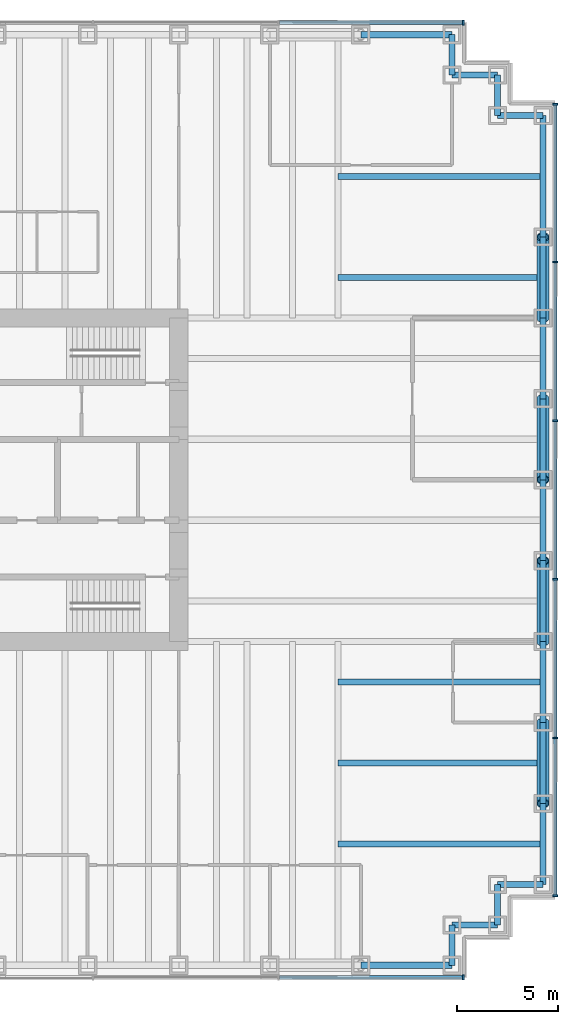
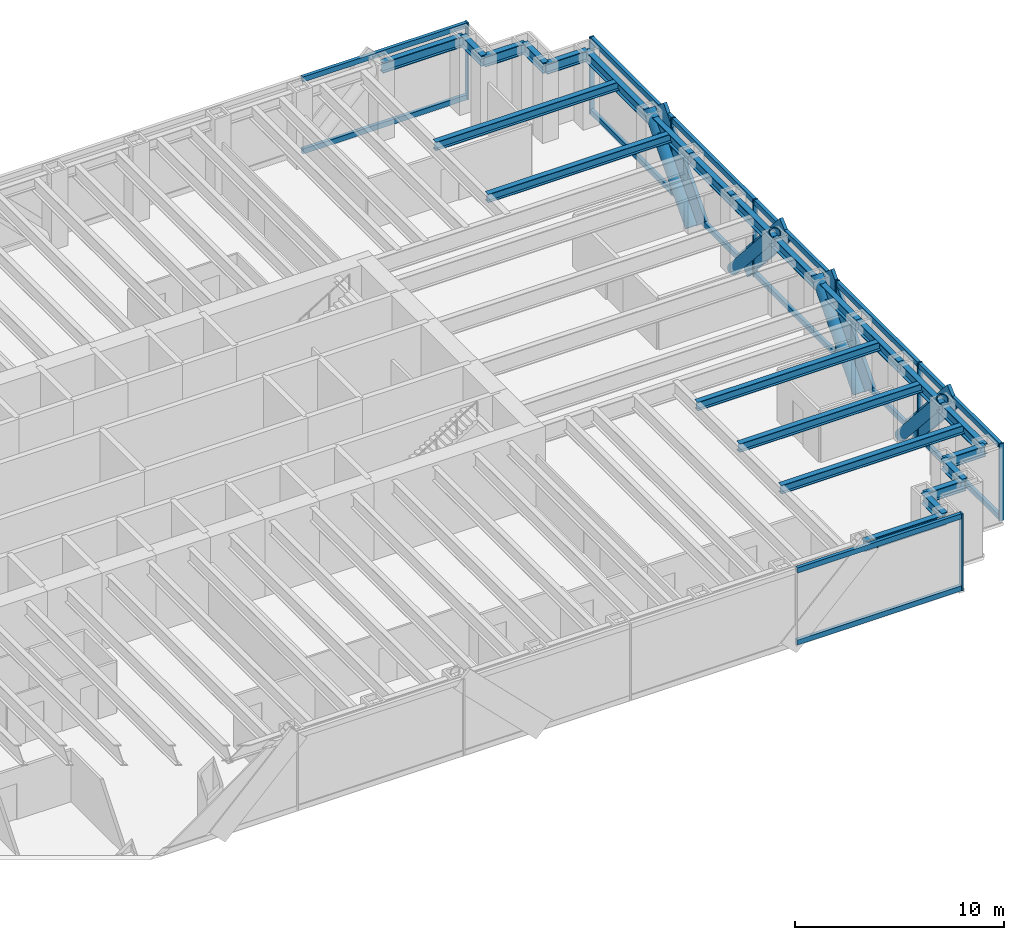
# One storey, part 7 of 13: 30 members, 24 beams, 3 elements without a shape of their own.
"""IFC4 building model written with IfcOpenShell, lengths in metres."""

from ifc_helpers import new_model, si_unit, direction, frame, origin, origin_2d, place, context, subcontext, project, spatial, rectangle, hollow_circle, i_section, extrude, material, material_profile, profile_set, type_object, element, aggregate, save


model = new_model("IFC4")

# Units and contexts
model_context = context("Model", 3, precision=1e-05, world=origin(), true_north=direction((0.0, 1.0)))
body_context = subcontext(model_context, "Body", "Model", "MODEL_VIEW")
ifc_project = project(units=[si_unit("LENGTHUNIT", "METRE"), si_unit("AREAUNIT", "SQUARE_METRE"), si_unit("VOLUMEUNIT", "CUBIC_METRE"), si_unit("PLANEANGLEUNIT", "RADIAN"), si_unit("MASSUNIT", "GRAM", prefix="KILO")], contexts=[model_context])

# Site, building, storey
site_placement = place(None, origin())
site = spatial("IfcSite", under=ifc_project, at=site_placement, CompositionType="ELEMENT")
building_placement = place(site_placement, origin())
building = spatial("IfcBuilding", under=site, at=building_placement, Name="Rheinbord Bourse Tower", CompositionType="ELEMENT")
storey_placement = place(building_placement, frame((0.0, 0.0, 54.5)))
storey = spatial("IfcBuildingStorey", under=building, at=storey_placement, Name="L11", CompositionType="ELEMENT", Elevation=54.5)

# Curtain wall, members
ifc_material_1 = material(Name="Dark glass and black aluminium", Category="aluminium")
curtain_wall_type = type_object("IfcCurtainWallType", Name="CW1 DARK GLASS CURTAIN WALL", PredefinedType="USERDEFINED", material=ifc_material_1)
curtain_wall_1_placement = place(storey_placement, origin())
curtain_wall_1 = element("IfcCurtainWall", 1, at=curtain_wall_1_placement, inside=storey, type_object=curtain_wall_type, Name="Curtain wall CW1 E L11", ObjectType="UNITISED CURTAIN WALL", PredefinedType="USERDEFINED")
ifc_material_2 = material(Name="Black anodised aluminium", Category="aluminium")
ifc_material_profile_1 = material_profile(ifc_material_2, rectangle(XDim=0.179931640625, YDim=1.2099609375, at=origin_2d()), Name="CW1 DIAGONAL MULLION 1210x180")
ifc_profile_set_1 = profile_set([ifc_material_profile_1], Name="Black anodised aluminium")
member_type_1 = type_object("IfcMemberType", Name="CW1 BLACK DIAGONAL MULLION", PredefinedType="USERDEFINED", material=ifc_profile_set_1)
member_1_placement = place(storey_placement, frame((72.60009765625, 28.0, 0.0), z_axis=(0.0, -0.66436383883, 0.747409318684), x_axis=(1.0, 0.0, 0.0)))
member_1 = element("IfcMember", 2, at=member_1_placement, type_object=member_type_1, Name="CW1 diagonal mullion a", ObjectType="DIAGONAL MULLION", PredefinedType="USERDEFINED", context=body_context, shape_type="SweptSolid", body=[
    extrude(rectangle(XDim=0.179931640625, YDim=1.2099609375, at=origin_2d()), origin(), (0.0, 0.0, 1.0), 6.020751953125),
])
member_2_placement = place(storey_placement, frame((72.60009765625, 16.0, 0.0), z_axis=(0.0, 0.66436383883, 0.747409318684), x_axis=(-1.0, 0.0, 0.0)))
member_2 = element("IfcMember", 3, at=member_2_placement, type_object=member_type_1, Name="CW1 diagonal mullion b", ObjectType="DIAGONAL MULLION", PredefinedType="USERDEFINED", context=body_context, shape_type="SweptSolid", body=[
    extrude(rectangle(XDim=0.179931640625, YDim=1.2099609375, at=origin_2d()), origin(), (0.0, 0.0, 1.0), 6.020751953125),
])
member_3_placement = place(storey_placement, frame((72.60009765625, 12.0, 0.0), z_axis=(0.0, -0.66436383883, 0.747409318684), x_axis=(1.0, 0.0, 0.0)))
member_3 = element("IfcMember", 4, at=member_3_placement, type_object=member_type_1, Name="CW1 diagonal mullion c", ObjectType="DIAGONAL MULLION", PredefinedType="USERDEFINED", context=body_context, shape_type="SweptSolid", body=[
    extrude(rectangle(XDim=0.179931640625, YDim=1.2099609375, at=origin_2d()), origin(), (0.0, 0.0, 1.0), 6.020751953125),
])
member_4_placement = place(storey_placement, frame((72.60009765625, 32.0, 0.0), z_axis=(0.0, 0.66436383883, 0.747409318684), x_axis=(-1.0, 0.0, 0.0)))
member_4 = element("IfcMember", 5, at=member_4_placement, type_object=member_type_1, Name="CW1 diagonal mullion d", ObjectType="DIAGONAL MULLION", PredefinedType="USERDEFINED", context=body_context, shape_type="SweptSolid", body=[
    extrude(rectangle(XDim=0.179931640625, YDim=1.2099609375, at=origin_2d()), origin(), (0.0, 0.0, 1.0), 6.020751953125),
])

# Curtain wall, member
curtain_wall_2_placement = place(storey_placement, origin())
curtain_wall_2 = element("IfcCurtainWall", 6, at=curtain_wall_2_placement, inside=storey, type_object=curtain_wall_type, Name="Curtain wall CW1 S L11", ObjectType="UNITISED CURTAIN WALL", PredefinedType="USERDEFINED")
ifc_material_3 = material(Name="Black anodised aluminium", Category="aluminium")
ifc_material_profile_2 = material_profile(ifc_material_3, rectangle(XDim=0.25, YDim=0.080078125, at=origin_2d()), Name="CW1 MULLION 80x250")
ifc_profile_set_2 = profile_set([ifc_material_profile_2], Name="Black anodised aluminium")
member_type_2 = type_object("IfcMemberType", Name="CW1 BLACK MULLION", PredefinedType="MULLION", material=ifc_profile_set_2)
member_5_placement = place(storey_placement, frame((68.06005859375, -0.60009765625, 0.0), z_axis=(0.0, 0.0, 1.0), x_axis=(0.0, 1.0, 0.0)))
member_5 = element("IfcMember", 7, at=member_5_placement, type_object=member_type_2, Name="CW1 mullion 8", PredefinedType="MULLION", context=body_context, shape_type="SweptSolid", body=[
    extrude(rectangle(XDim=0.25, YDim=0.080078125, at=origin_2d()), origin(), (0.0, 0.0, 1.0), 4.5),
])

# Member
member_6_placement = place(storey_placement, frame((72.60009765625, 3.43994140625, 0.0), z_axis=(0.0, 0.0, 1.0), x_axis=(-1.0, 0.0, 0.0)))
member_6 = element("IfcMember", 8, at=member_6_placement, type_object=member_type_2, Name="CW1 mullion 1", PredefinedType="MULLION", context=body_context, shape_type="SweptSolid", body=[
    extrude(rectangle(XDim=0.25, YDim=0.080078125, at=origin_2d()), origin(), (0.0, 0.0, 1.0), 4.5),
])

member_7_placement = place(storey_placement, frame((72.60009765625, 11.239990234375, 0.0), z_axis=(0.0, 0.0, 1.0), x_axis=(-1.0, 0.0, 0.0)))
member_7 = element("IfcMember", 9, at=member_7_placement, type_object=member_type_2, Name="CW1 mullion 2", PredefinedType="MULLION", context=body_context, shape_type="SweptSolid", body=[
    extrude(rectangle(XDim=0.25, YDim=0.080078125, at=origin_2d()), origin(), (0.0, 0.0, 1.0), 4.5),
])

member_8_placement = place(storey_placement, frame((72.60009765625, 19.080078125, 0.0), z_axis=(0.0, 0.0, 1.0), x_axis=(-1.0, 0.0, 0.0)))
member_8 = element("IfcMember", 10, at=member_8_placement, type_object=member_type_2, Name="CW1 mullion 3", PredefinedType="MULLION", context=body_context, shape_type="SweptSolid", body=[
    extrude(rectangle(XDim=0.25, YDim=0.080078125, at=origin_2d()), origin(), (0.0, 0.0, 1.0), 4.5),
])

member_9_placement = place(storey_placement, frame((72.60009765625, 26.919921875, 0.0), z_axis=(0.0, 0.0, 1.0), x_axis=(-1.0, 0.0, 0.0)))
member_9 = element("IfcMember", 11, at=member_9_placement, type_object=member_type_2, Name="CW1 mullion 4", PredefinedType="MULLION", context=body_context, shape_type="SweptSolid", body=[
    extrude(rectangle(XDim=0.25, YDim=0.080078125, at=origin_2d()), origin(), (0.0, 0.0, 1.0), 4.5),
])

member_10_placement = place(storey_placement, frame((72.60009765625, 34.760009765625, 0.0), z_axis=(0.0, 0.0, 1.0), x_axis=(-1.0, 0.0, 0.0)))
member_10 = element("IfcMember", 12, at=member_10_placement, type_object=member_type_2, Name="CW1 mullion 5", PredefinedType="MULLION", context=body_context, shape_type="SweptSolid", body=[
    extrude(rectangle(XDim=0.25, YDim=0.080078125, at=origin_2d()), origin(), (0.0, 0.0, 1.0), 4.5),
])

member_11_placement = place(storey_placement, frame((72.60009765625, 42.56005859375, 0.0), z_axis=(0.0, 0.0, 1.0), x_axis=(-1.0, 0.0, 0.0)))
member_11 = element("IfcMember", 13, at=member_11_placement, type_object=member_type_2, Name="CW1 mullion 6", PredefinedType="MULLION", context=body_context, shape_type="SweptSolid", body=[
    extrude(rectangle(XDim=0.25, YDim=0.080078125, at=origin_2d()), origin(), (0.0, 0.0, 1.0), 4.5),
])

# Curtain wall, member
curtain_wall_3_placement = place(storey_placement, origin())
curtain_wall_3 = element("IfcCurtainWall", 14, at=curtain_wall_3_placement, inside=storey, type_object=curtain_wall_type, Name="Curtain wall CW1 N L11", ObjectType="UNITISED CURTAIN WALL", PredefinedType="USERDEFINED")
member_12_placement = place(storey_placement, frame((68.06005859375, 46.60009765625, 0.0), z_axis=(0.0, 0.0, 1.0), x_axis=(0.0, -1.0, 0.0)))
member_12 = element("IfcMember", 15, at=member_12_placement, type_object=member_type_2, Name="CW1 mullion 1", PredefinedType="MULLION", context=body_context, shape_type="SweptSolid", body=[
    extrude(rectangle(XDim=0.25, YDim=0.080078125, at=origin_2d()), origin(), (0.0, 0.0, 1.0), 4.5),
])

# Member
ifc_material_4 = material(Name="Black anodised aluminium", Category="aluminium")
ifc_material_profile_3 = material_profile(ifc_material_4, rectangle(XDim=0.179931640625, YDim=0.300048828125, at=origin_2d()), Name="CW1 TRANSOM 300x180")
ifc_profile_set_3 = profile_set([ifc_material_profile_3], Name="Black anodised aluminium")
member_type_3 = type_object("IfcMemberType", Name="CW1 BLACK TRANSOM", PredefinedType="USERDEFINED", material=ifc_profile_set_3)
member_13_placement = place(storey_placement, frame((58.968505859375, -0.60009765625, 0.14990234375), z_axis=(1.0, 0.0, 0.0), x_axis=(0.0, 1.0, 0.0)))
member_13 = element("IfcMember", 16, at=member_13_placement, type_object=member_type_3, Name="CW1 transom 7.1", ObjectType="TRANSOM", PredefinedType="USERDEFINED", context=body_context, shape_type="SweptSolid", body=[
    extrude(rectangle(XDim=0.179931640625, YDim=0.300048828125, at=origin_2d()), origin(), (0.0, 0.0, 1.0), 9.051513671875),
])

member_14_placement = place(storey_placement, frame((58.968505859375, -0.60009765625, 4.35009765625), z_axis=(1.0, 0.0, 0.0), x_axis=(0.0, 1.0, 0.0)))
member_14 = element("IfcMember", 17, at=member_14_placement, type_object=member_type_3, Name="CW1 transom 7.2", ObjectType="TRANSOM", PredefinedType="USERDEFINED", context=body_context, shape_type="SweptSolid", body=[
    extrude(rectangle(XDim=0.179931640625, YDim=0.300048828125, at=origin_2d()), origin(), (0.0, 0.0, 1.0), 9.051513671875),
])

aggregate(curtain_wall_2, [member_5, member_13, member_14])

member_15_placement = place(storey_placement, frame((72.60009765625, 3.47998046875, 0.14990234375), z_axis=(0.0, 1.0, 0.0), x_axis=(-1.0, 0.0, 0.0)))
member_15 = element("IfcMember", 18, at=member_15_placement, type_object=member_type_3, Name="CW1 transom 1.1", ObjectType="TRANSOM", PredefinedType="USERDEFINED", context=body_context, shape_type="SweptSolid", body=[
    extrude(rectangle(XDim=0.179931640625, YDim=0.300048828125, at=origin_2d()), origin(), (0.0, 0.0, 1.0), 7.719970703125),
])

member_16_placement = place(storey_placement, frame((72.60009765625, 3.47998046875, 4.35009765625), z_axis=(0.0, 1.0, 0.0), x_axis=(-1.0, 0.0, 0.0)))
member_16 = element("IfcMember", 19, at=member_16_placement, type_object=member_type_3, Name="CW1 transom 1.2", ObjectType="TRANSOM", PredefinedType="USERDEFINED", context=body_context, shape_type="SweptSolid", body=[
    extrude(rectangle(XDim=0.179931640625, YDim=0.300048828125, at=origin_2d()), origin(), (0.0, 0.0, 1.0), 7.719970703125),
])

member_17_placement = place(storey_placement, frame((72.60009765625, 11.280029296875, 0.14990234375), z_axis=(0.0, 1.0, 0.0), x_axis=(-1.0, 0.0, 0.0)))
member_17 = element("IfcMember", 20, at=member_17_placement, type_object=member_type_3, Name="CW1 transom 2.1", ObjectType="TRANSOM", PredefinedType="USERDEFINED", context=body_context, shape_type="SweptSolid", body=[
    extrude(rectangle(XDim=0.179931640625, YDim=0.300048828125, at=origin_2d()), origin(), (0.0, 0.0, 1.0), 7.760009765625),
])

member_18_placement = place(storey_placement, frame((72.60009765625, 11.280029296875, 4.35009765625), z_axis=(0.0, 1.0, 0.0), x_axis=(-1.0, 0.0, 0.0)))
member_18 = element("IfcMember", 21, at=member_18_placement, type_object=member_type_3, Name="CW1 transom 2.2", ObjectType="TRANSOM", PredefinedType="USERDEFINED", context=body_context, shape_type="SweptSolid", body=[
    extrude(rectangle(XDim=0.179931640625, YDim=0.300048828125, at=origin_2d()), origin(), (0.0, 0.0, 1.0), 7.760009765625),
])

member_19_placement = place(storey_placement, frame((72.60009765625, 19.1201171875, 0.14990234375), z_axis=(0.0, 1.0, 0.0), x_axis=(-1.0, 0.0, 0.0)))
member_19 = element("IfcMember", 22, at=member_19_placement, type_object=member_type_3, Name="CW1 transom 3.1", ObjectType="TRANSOM", PredefinedType="USERDEFINED", context=body_context, shape_type="SweptSolid", body=[
    extrude(rectangle(XDim=0.179931640625, YDim=0.300048828125, at=origin_2d()), origin(), (0.0, 0.0, 1.0), 7.759765625),
])

member_20_placement = place(storey_placement, frame((72.60009765625, 19.1201171875, 4.35009765625), z_axis=(0.0, 1.0, 0.0), x_axis=(-1.0, 0.0, 0.0)))
member_20 = element("IfcMember", 23, at=member_20_placement, type_object=member_type_3, Name="CW1 transom 3.2", ObjectType="TRANSOM", PredefinedType="USERDEFINED", context=body_context, shape_type="SweptSolid", body=[
    extrude(rectangle(XDim=0.179931640625, YDim=0.300048828125, at=origin_2d()), origin(), (0.0, 0.0, 1.0), 7.759765625),
])

member_21_placement = place(storey_placement, frame((72.60009765625, 26.9599609375, 0.14990234375), z_axis=(0.0, 1.0, 0.0), x_axis=(-1.0, 0.0, 0.0)))
member_21 = element("IfcMember", 24, at=member_21_placement, type_object=member_type_3, Name="CW1 transom 4.1", ObjectType="TRANSOM", PredefinedType="USERDEFINED", context=body_context, shape_type="SweptSolid", body=[
    extrude(rectangle(XDim=0.179931640625, YDim=0.300048828125, at=origin_2d()), origin(), (0.0, 0.0, 1.0), 7.760009765625),
])

member_22_placement = place(storey_placement, frame((72.60009765625, 26.9599609375, 4.35009765625), z_axis=(0.0, 1.0, 0.0), x_axis=(-1.0, 0.0, 0.0)))
member_22 = element("IfcMember", 25, at=member_22_placement, type_object=member_type_3, Name="CW1 transom 4.2", ObjectType="TRANSOM", PredefinedType="USERDEFINED", context=body_context, shape_type="SweptSolid", body=[
    extrude(rectangle(XDim=0.179931640625, YDim=0.300048828125, at=origin_2d()), origin(), (0.0, 0.0, 1.0), 7.760009765625),
])

member_23_placement = place(storey_placement, frame((72.60009765625, 34.800048828125, 0.14990234375), z_axis=(0.0, 1.0, 0.0), x_axis=(-1.0, 0.0, 0.0)))
member_23 = element("IfcMember", 26, at=member_23_placement, type_object=member_type_3, Name="CW1 transom 5.1", ObjectType="TRANSOM", PredefinedType="USERDEFINED", context=body_context, shape_type="SweptSolid", body=[
    extrude(rectangle(XDim=0.179931640625, YDim=0.300048828125, at=origin_2d()), origin(), (0.0, 0.0, 1.0), 7.719970703125),
])

member_24_placement = place(storey_placement, frame((72.60009765625, 34.800048828125, 4.35009765625), z_axis=(0.0, 1.0, 0.0), x_axis=(-1.0, 0.0, 0.0)))
member_24 = element("IfcMember", 27, at=member_24_placement, type_object=member_type_3, Name="CW1 transom 5.2", ObjectType="TRANSOM", PredefinedType="USERDEFINED", context=body_context, shape_type="SweptSolid", body=[
    extrude(rectangle(XDim=0.179931640625, YDim=0.300048828125, at=origin_2d()), origin(), (0.0, 0.0, 1.0), 7.719970703125),
])

aggregate(curtain_wall_1, [member_6, member_7, member_8, member_9, member_10, member_11, member_15, member_16, member_17, member_18, member_19, member_20, member_21, member_22, member_23, member_24, member_1, member_2, member_3, member_4])

member_25_placement = place(storey_placement, frame((68.02001953125, 46.60009765625, 0.14990234375), z_axis=(-1.0, 0.0, 0.0), x_axis=(0.0, -1.0, 0.0)))
member_25 = element("IfcMember", 28, at=member_25_placement, type_object=member_type_3, Name="CW1 transom 1.1", ObjectType="TRANSOM", PredefinedType="USERDEFINED", context=body_context, shape_type="SweptSolid", body=[
    extrude(rectangle(XDim=0.179931640625, YDim=0.300048828125, at=origin_2d()), origin(), (0.0, 0.0, 1.0), 9.051513671875),
])

member_26_placement = place(storey_placement, frame((68.02001953125, 46.60009765625, 4.35009765625), z_axis=(-1.0, 0.0, 0.0), x_axis=(0.0, -1.0, 0.0)))
member_26 = element("IfcMember", 29, at=member_26_placement, type_object=member_type_3, Name="CW1 transom 1.2", ObjectType="TRANSOM", PredefinedType="USERDEFINED", context=body_context, shape_type="SweptSolid", body=[
    extrude(rectangle(XDim=0.179931640625, YDim=0.300048828125, at=origin_2d()), origin(), (0.0, 0.0, 1.0), 9.051513671875),
])

aggregate(curtain_wall_3, [member_12, member_25, member_26])

# Members
ifc_material_5 = material(Name="Steel S460", Category="steel")
ifc_material_profile_4 = material_profile(ifc_material_5, hollow_circle(Radius=0.304931640625, WallThickness=0.050048828125, at=origin_2d()), Name="CHS 610x50")
ifc_profile_set_4 = profile_set([ifc_material_profile_4], Name="Steel S460")
member_type_4 = type_object("IfcMemberType", Name="MEGABRACE CHS 610x50", PredefinedType="BRACE", material=ifc_profile_set_4)
for number, where, z_axis, x_axis, name in (
    (30, (72.0, 28.0, 0.0), (0.0, -0.66436383883, 0.747409318684), (1.0, 0.0, 0.0), "Megabrace E face line a L11"),
    (31, (72.0, 16.0, 0.0), (0.0, 0.66436383883, 0.747409318684), (-1.0, 0.0, 0.0), "Megabrace E face line b L11"),
    (32, (72.0, 12.0, 0.0), (0.0, -0.66436383883, 0.747409318684), (1.0, 0.0, 0.0), "Megabrace E face line c L11"),
    (33, (72.0, 32.0, 0.0), (0.0, 0.66436383883, 0.747409318684), (-1.0, 0.0, 0.0), "Megabrace E face line d L11"),
):
    element("IfcMember", number, at=place(storey_placement, frame(where, z_axis=z_axis, x_axis=x_axis)), inside=storey, type_object=member_type_4, Name=name, PredefinedType="BRACE", context=body_context, shape_type="SweptSolid", body=[
        extrude(hollow_circle(Radius=0.304931640625, WallThickness=0.050048828125, at=origin_2d()), origin(), (0.0, 0.0, 1.0), 6.020751953125),
    ])

# Beams
ifc_material_6 = material(Name="Steel S460", Category="steel")
ifc_material_profile_5 = material_profile(ifc_material_6, i_section(OverallWidth=0.304931640625, OverallDepth=0.6201171875, WebThickness=0.02099609375, FlangeThickness=0.0400390625, at=origin_2d()), Name="HEM 600")
ifc_profile_set_5 = profile_set([ifc_material_profile_5], Name="Steel S460")
beam_type_1 = type_object("IfcBeamType", Name="SPANDREL HEM 600", PredefinedType="SPANDREL", material=ifc_profile_set_5)
beam_1_placement = place(storey_placement, frame((63.0, 0.0, 4.010009765625), z_axis=(1.0, 0.0, 0.0), x_axis=(0.0, 1.0, 0.0)))
element("IfcBeam", 34, at=beam_1_placement, inside=storey, type_object=beam_type_1, Name="Spandrel S-63-SE-E under L12", PredefinedType="SPANDREL", context=body_context, shape_type="SweptSolid", body=[
    extrude(i_section(OverallWidth=0.304931640625, OverallDepth=0.6201171875, WebThickness=0.02099609375, FlangeThickness=0.0400390625, at=origin_2d()), origin(), (0.0, 0.0, 1.0), 4.5),
])
beam_2_placement = place(storey_placement, frame((67.5, 0.0, 4.010009765625), z_axis=(0.0, 1.0, 0.0), x_axis=(-1.0, 0.0, 0.0)))
element("IfcBeam", 35, at=beam_2_placement, inside=storey, type_object=beam_type_1, Name="Spandrel SE-E-SE-D under L12", PredefinedType="SPANDREL", context=body_context, shape_type="SweptSolid", body=[
    extrude(i_section(OverallWidth=0.304931640625, OverallDepth=0.6201171875, WebThickness=0.02099609375, FlangeThickness=0.0400390625, at=origin_2d()), origin(), (0.0, 0.0, 1.0), 2.0),
])
beam_3_placement = place(storey_placement, frame((67.5, 2.0, 4.010009765625), z_axis=(1.0, 0.0, 0.0), x_axis=(0.0, 1.0, 0.0)))
element("IfcBeam", 36, at=beam_3_placement, inside=storey, type_object=beam_type_1, Name="Spandrel SE-D-SE-C under L12", PredefinedType="SPANDREL", context=body_context, shape_type="SweptSolid", body=[
    extrude(i_section(OverallWidth=0.304931640625, OverallDepth=0.6201171875, WebThickness=0.02099609375, FlangeThickness=0.0400390625, at=origin_2d()), origin(), (0.0, 0.0, 1.0), 2.25),
])
beam_4_placement = place(storey_placement, frame((69.75, 2.0, 4.010009765625), z_axis=(0.0, 1.0, 0.0), x_axis=(-1.0, 0.0, 0.0)))
element("IfcBeam", 37, at=beam_4_placement, inside=storey, type_object=beam_type_1, Name="Spandrel SE-C-SE-B under L12", PredefinedType="SPANDREL", context=body_context, shape_type="SweptSolid", body=[
    extrude(i_section(OverallWidth=0.304931640625, OverallDepth=0.6201171875, WebThickness=0.02099609375, FlangeThickness=0.0400390625, at=origin_2d()), origin(), (0.0, 0.0, 1.0), 2.0),
])
beam_5_placement = place(storey_placement, frame((69.75, 4.0, 4.010009765625), z_axis=(1.0, 0.0, 0.0), x_axis=(0.0, 1.0, 0.0)))
element("IfcBeam", 38, at=beam_5_placement, inside=storey, type_object=beam_type_1, Name="Spandrel SE-B-SE-A under L12", PredefinedType="SPANDREL", context=body_context, shape_type="SweptSolid", body=[
    extrude(i_section(OverallWidth=0.304931640625, OverallDepth=0.6201171875, WebThickness=0.02099609375, FlangeThickness=0.0400390625, at=origin_2d()), origin(), (0.0, 0.0, 1.0), 2.25),
])
for number, where, z_axis, x_axis, name in (
    (39, (72.0, 4.0, 4.010009765625), (0.0, 1.0, 0.0), (-1.0, 0.0, 0.0), "Spandrel SE-A-E-8 under L12"),
    (40, (72.0, 8.0, 4.010009765625), (0.0, 1.0, 0.0), (-1.0, 0.0, 0.0), "Spandrel E-8-E-12 under L12"),
    (41, (72.0, 12.0, 4.010009765625), (0.0, 1.0, 0.0), (-1.0, 0.0, 0.0), "Spandrel E-12-E-16 under L12"),
    (42, (72.0, 16.0, 4.010009765625), (0.0, 1.0, 0.0), (-1.0, 0.0, 0.0), "Spandrel E-16-E-20 under L12"),
    (43, (72.0, 20.0, 4.010009765625), (0.0, 1.0, 0.0), (-1.0, 0.0, 0.0), "Spandrel E-20-E-24 under L12"),
    (44, (72.0, 24.0, 4.010009765625), (0.0, 1.0, 0.0), (-1.0, 0.0, 0.0), "Spandrel E-24-E-28 under L12"),
    (45, (72.0, 28.0, 4.010009765625), (0.0, 1.0, 0.0), (-1.0, 0.0, 0.0), "Spandrel E-28-E-32 under L12"),
    (46, (72.0, 32.0, 4.010009765625), (0.0, 1.0, 0.0), (-1.0, 0.0, 0.0), "Spandrel E-32-E-36 under L12"),
):
    element("IfcBeam", number, at=place(storey_placement, frame(where, z_axis=z_axis, x_axis=x_axis)), inside=storey, type_object=beam_type_1, Name=name, PredefinedType="SPANDREL", context=body_context, shape_type="SweptSolid", body=[
        extrude(i_section(OverallWidth=0.304931640625, OverallDepth=0.6201171875, WebThickness=0.02099609375, FlangeThickness=0.0400390625, at=origin_2d()), origin(), (0.0, 0.0, 1.0), 4.0),
    ])
beam_6_placement = place(storey_placement, frame((72.0, 36.0, 4.010009765625), z_axis=(0.0, 1.0, 0.0), x_axis=(-1.0, 0.0, 0.0)))
element("IfcBeam", 47, at=beam_6_placement, inside=storey, type_object=beam_type_1, Name="Spandrel E-36-NE-A under L12", PredefinedType="SPANDREL", context=body_context, shape_type="SweptSolid", body=[
    extrude(i_section(OverallWidth=0.304931640625, OverallDepth=0.6201171875, WebThickness=0.02099609375, FlangeThickness=0.0400390625, at=origin_2d()), origin(), (0.0, 0.0, 1.0), 6.0),
])
beam_7_placement = place(storey_placement, frame((72.0, 42.0, 4.010009765625), z_axis=(-1.0, 0.0, 0.0), x_axis=(0.0, -1.0, 0.0)))
element("IfcBeam", 48, at=beam_7_placement, inside=storey, type_object=beam_type_1, Name="Spandrel NE-A-NE-B under L12", PredefinedType="SPANDREL", context=body_context, shape_type="SweptSolid", body=[
    extrude(i_section(OverallWidth=0.304931640625, OverallDepth=0.6201171875, WebThickness=0.02099609375, FlangeThickness=0.0400390625, at=origin_2d()), origin(), (0.0, 0.0, 1.0), 2.25),
])
beam_8_placement = place(storey_placement, frame((69.75, 42.0, 4.010009765625), z_axis=(0.0, 1.0, 0.0), x_axis=(-1.0, 0.0, 0.0)))
element("IfcBeam", 49, at=beam_8_placement, inside=storey, type_object=beam_type_1, Name="Spandrel NE-B-NE-C under L12", PredefinedType="SPANDREL", context=body_context, shape_type="SweptSolid", body=[
    extrude(i_section(OverallWidth=0.304931640625, OverallDepth=0.6201171875, WebThickness=0.02099609375, FlangeThickness=0.0400390625, at=origin_2d()), origin(), (0.0, 0.0, 1.0), 2.0),
])
beam_9_placement = place(storey_placement, frame((69.75, 44.0, 4.010009765625), z_axis=(-1.0, 0.0, 0.0), x_axis=(0.0, -1.0, 0.0)))
element("IfcBeam", 50, at=beam_9_placement, inside=storey, type_object=beam_type_1, Name="Spandrel NE-C-NE-D under L12", PredefinedType="SPANDREL", context=body_context, shape_type="SweptSolid", body=[
    extrude(i_section(OverallWidth=0.304931640625, OverallDepth=0.6201171875, WebThickness=0.02099609375, FlangeThickness=0.0400390625, at=origin_2d()), origin(), (0.0, 0.0, 1.0), 2.25),
])
beam_10_placement = place(storey_placement, frame((67.5, 44.0, 4.010009765625), z_axis=(0.0, 1.0, 0.0), x_axis=(-1.0, 0.0, 0.0)))
element("IfcBeam", 51, at=beam_10_placement, inside=storey, type_object=beam_type_1, Name="Spandrel NE-D-NE-E under L12", PredefinedType="SPANDREL", context=body_context, shape_type="SweptSolid", body=[
    extrude(i_section(OverallWidth=0.304931640625, OverallDepth=0.6201171875, WebThickness=0.02099609375, FlangeThickness=0.0400390625, at=origin_2d()), origin(), (0.0, 0.0, 1.0), 2.0),
])
beam_11_placement = place(storey_placement, frame((67.5, 46.0, 4.010009765625), z_axis=(-1.0, 0.0, 0.0), x_axis=(0.0, -1.0, 0.0)))
element("IfcBeam", 52, at=beam_11_placement, inside=storey, type_object=beam_type_1, Name="Spandrel NE-E-N-63 under L12", PredefinedType="SPANDREL", context=body_context, shape_type="SweptSolid", body=[
    extrude(i_section(OverallWidth=0.304931640625, OverallDepth=0.6201171875, WebThickness=0.02099609375, FlangeThickness=0.0400390625, at=origin_2d()), origin(), (0.0, 0.0, 1.0), 4.5),
])
ifc_material_7 = material(Name="Steel S460", Category="steel")
ifc_material_profile_6 = material_profile(ifc_material_7, i_section(OverallWidth=0.300048828125, OverallDepth=0.5, WebThickness=0.014404296875, FlangeThickness=0.028076171875, at=origin_2d()), Name="HEB 500")
ifc_profile_set_6 = profile_set([ifc_material_profile_6], Name="Steel S460")
beam_type_2 = type_object("IfcBeamType", Name="TIE BEAM HEB 500", PredefinedType="JOIST", material=ifc_profile_set_6)
for number, where, z_axis, x_axis, name in (
    (53, (61.875, 6.0, 4.070068359375), (1.0, 0.0, 0.0), (0.0, 1.0, 0.0), "Tie east 6 L12"),
    (54, (61.875, 10.0, 4.070068359375), (1.0, 0.0, 0.0), (0.0, 1.0, 0.0), "Tie east 10 L12"),
    (55, (61.875, 14.0, 4.070068359375), (1.0, 0.0, 0.0), (0.0, 1.0, 0.0), "Tie east 14 L12"),
    (56, (61.875, 34.0, 4.070068359375), (1.0, 0.0, 0.0), (0.0, 1.0, 0.0), "Tie east 34 L12"),
    (57, (61.875, 39.0, 4.070068359375), (1.0, 0.0, 0.0), (0.0, 1.0, 0.0), "Tie east 39 L12"),
):
    element("IfcBeam", number, at=place(storey_placement, frame(where, z_axis=z_axis, x_axis=x_axis)), inside=storey, type_object=beam_type_2, Name=name, PredefinedType="JOIST", context=body_context, shape_type="SweptSolid", body=[
        extrude(i_section(OverallWidth=0.300048828125, OverallDepth=0.5, WebThickness=0.014404296875, FlangeThickness=0.028076171875, at=origin_2d()), origin(), (0.0, 0.0, 1.0), 10.125),
    ])

save(model, "model.ifc")
